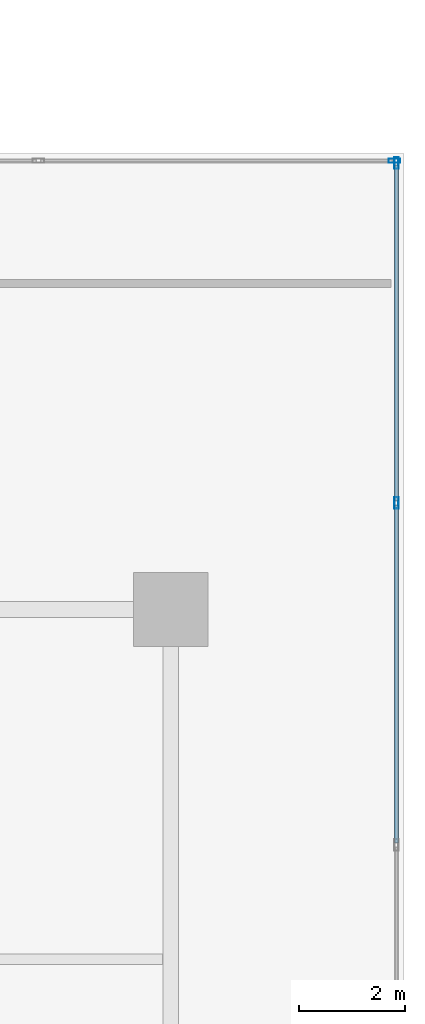
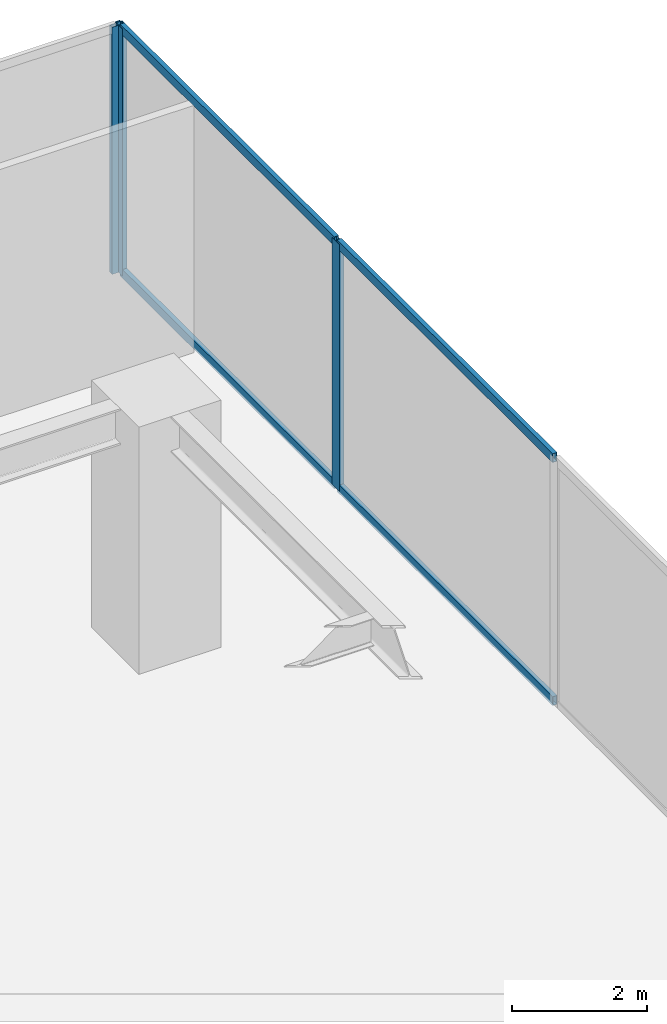
# One storey, part 10 of 16: 7 members, 2 elements without a shape of their own.
"""IFC4 building model written with IfcOpenShell, lengths in metres."""

from ifc_helpers import new_model, si_unit, direction, frame, origin, origin_with_axes, origin_2d, place, context, subcontext, project, spatial, hollow_rectangle, extrude, source, transform, mapped, material, layer, layer_set, material_profile, profile_set, type_object, element, aggregate, save


model = new_model("IFC4")

# Units and contexts
model_context = context("Model", 3, precision=1e-05, world=origin(), true_north=direction((0.0, 1.0)))
body_context = subcontext(model_context, "Body", "Model", "MODEL_VIEW")
ifc_project = project(units=[si_unit("LENGTHUNIT", "METRE"), si_unit("AREAUNIT", "SQUARE_METRE"), si_unit("VOLUMEUNIT", "CUBIC_METRE"), si_unit("PLANEANGLEUNIT", "RADIAN"), si_unit("MASSUNIT", "GRAM", prefix="KILO")], contexts=[model_context])

# Site, building, storey
site_placement = place(None, origin())
site = spatial("IfcSite", under=ifc_project, at=site_placement, CompositionType="ELEMENT")
building_placement = place(site_placement, origin())
building = spatial("IfcBuilding", under=site, at=building_placement, Name="Kolvaren Waterfront Exchange", CompositionType="ELEMENT")
storey_placement = place(building_placement, frame((0.0, 0.0, 15.199951171875)))
storey = spatial("IfcBuildingStorey", under=building, at=storey_placement, Name="L04", CompositionType="ELEMENT", Elevation=15.199951171875)

# Curtain wall, members
ifc_material_1 = material(Name="Anodised bronze aluminium 6063-T6", Category="aluminium")
ifc_layer = layer(ifc_material_1, 0.219970703125, Name="Anodised bronze aluminium 6063-T6")
ifc_layer_set = layer_set([ifc_layer], Name="Anodised bronze aluminium 6063-T6")
curtain_wall_type = type_object("IfcCurtainWallType", Name="ARC-CW-SYS4", PredefinedType="USERDEFINED", material=ifc_layer_set)
curtain_wall_1_placement = place(storey_placement, origin())
curtain_wall_1 = element("IfcCurtainWall", 1, at=curtain_wall_1_placement, inside=storey, type_object=curtain_wall_type, Name="L04 stick curtain wall CW4 (CW-L04-E1)", ObjectType="STICK CURTAIN WALL", PredefinedType="USERDEFINED")
ifc_material_2 = material(Name="Anodised aluminium 6063-T6", Category="aluminium")
ifc_material_profile_1 = material_profile(ifc_material_2, hollow_rectangle(XDim=0.080078125, YDim=0.219970703125, WallThickness=0.0048828125, at=origin_2d()), Name="ALU-MUL-220x80x5")
ifc_profile_set_1 = profile_set([ifc_material_profile_1], Name="Anodised aluminium 6063-T6")
member_type_1 = type_object("IfcMemberType", Name="ARC-CWM-220", PredefinedType="MULLION", material=ifc_profile_set_1)
shared_shape_1 = source(origin_with_axes(), body_context, "Body", "SweptSolid", [
    extrude(hollow_rectangle(XDim=0.080078125, YDim=0.219970703125, WallThickness=0.0048828125, at=origin_2d()), origin(), (0.0, 0.0, 1.0), 4.4599609375),
])
member_1_placement = place(storey_placement, frame((64.659912109375, 32.6083984375, 0.0), z_axis=(0.0, 0.0, 1.0), x_axis=(-1.0, 0.0, 0.0)))
member_1 = element("IfcMember", 2, at=member_1_placement, type_object=member_type_1, Name="CW4 mullion 6", PredefinedType="MULLION", context=body_context, shape_type="MappedRepresentation", body=[
    mapped(shared_shape_1, transform((0.0, 0.0, 0.0), x_axis=(1.0, 0.0, 0.0), y_axis=(0.0, 1.0, 0.0), z_axis=(0.0, 0.0, 1.0), scale=1.0)),
])
member_2_placement = place(storey_placement, frame((64.659912109375, 39.02001953125, 0.0), z_axis=(0.0, 0.0, 1.0), x_axis=(-1.0, 0.0, 0.0)))
member_2 = element("IfcMember", 3, at=member_2_placement, type_object=member_type_1, Name="CW4 mullion 7", PredefinedType="MULLION", context=body_context, shape_type="MappedRepresentation", body=[
    mapped(shared_shape_1, transform((0.0, 0.0, 0.0), x_axis=(1.0, 0.0, 0.0), y_axis=(0.0, 1.0, 0.0), z_axis=(0.0, 0.0, 1.0), scale=1.0)),
])

# Curtain wall, member
curtain_wall_2_placement = place(storey_placement, origin())
curtain_wall_2 = element("IfcCurtainWall", 4, at=curtain_wall_2_placement, inside=storey, type_object=curtain_wall_type, Name="L04 stick curtain wall CW4 (CW-L04-E2)", ObjectType="STICK CURTAIN WALL", PredefinedType="USERDEFINED")
member_3_placement = place(storey_placement, frame((64.6201171875, 39.06005859375, 0.0), z_axis=(0.0, 0.0, 1.0), x_axis=(0.0, -1.0, 0.0)))
member_3 = element("IfcMember", 5, at=member_3_placement, type_object=member_type_1, Name="CW4 mullion 1", PredefinedType="MULLION", context=body_context, shape_type="MappedRepresentation", body=[
    mapped(shared_shape_1, transform((0.0, 0.0, 0.0), x_axis=(1.0, 0.0, 0.0), y_axis=(0.0, 1.0, 0.0), z_axis=(0.0, 0.0, 1.0), scale=1.0)),
])
aggregate(curtain_wall_2, [member_3])

# Member
ifc_material_profile_2 = material_profile(ifc_material_2, hollow_rectangle(XDim=0.074951171875, YDim=0.159912109375, WallThickness=0.00439453125, at=origin_2d()), Name="ALU-TRN-160x75x4.5")
ifc_profile_set_2 = profile_set([ifc_material_profile_2], Name="Anodised aluminium 6063-T6")
member_type_2 = type_object("IfcMemberType", Name="ARC-CWT-160", PredefinedType="USERDEFINED", material=ifc_profile_set_2)
shared_shape_2 = source(origin_with_axes(), body_context, "Body", "SweptSolid", [
    extrude(hollow_rectangle(XDim=0.074951171875, YDim=0.159912109375, WallThickness=0.00439453125, at=origin_2d()), origin(), (0.0, 0.0, 1.0), 6.37158203125),
])
member_4_placement = place(storey_placement, frame((64.659912109375, 26.19677734375, 0.03759765625), z_axis=(0.0, 1.0, 0.0), x_axis=(-1.0, 0.0, 0.0)))
member_4 = element("IfcMember", 6, at=member_4_placement, type_object=member_type_2, Name="CW4 transom 5.1", ObjectType="TRANSOM", PredefinedType="USERDEFINED", context=body_context, shape_type="MappedRepresentation", body=[
    mapped(shared_shape_2, transform((0.0, 0.0, 0.0), x_axis=(1.0, 0.0, 0.0), y_axis=(0.0, 1.0, 0.0), z_axis=(0.0, 0.0, 1.0), scale=1.0)),
])

member_5_placement = place(storey_placement, frame((64.659912109375, 26.19677734375, 4.422607421875), z_axis=(0.0, 1.0, 0.0), x_axis=(-1.0, 0.0, 0.0)))
member_5 = element("IfcMember", 7, at=member_5_placement, type_object=member_type_2, Name="CW4 transom 5.2", ObjectType="TRANSOM", PredefinedType="USERDEFINED", context=body_context, shape_type="MappedRepresentation", body=[
    mapped(shared_shape_2, transform((0.0, 0.0, 0.0), x_axis=(1.0, 0.0, 0.0), y_axis=(0.0, 1.0, 0.0), z_axis=(0.0, 0.0, 1.0), scale=1.0)),
])

shared_shape_3 = source(origin_with_axes(), body_context, "Body", "SweptSolid", [
    extrude(hollow_rectangle(XDim=0.074951171875, YDim=0.159912109375, WallThickness=0.00439453125, at=origin_2d()), origin(), (0.0, 0.0, 1.0), 6.33154296875),
])
member_6_placement = place(storey_placement, frame((64.659912109375, 32.6484375, 0.03759765625), z_axis=(0.0, 1.0, 0.0), x_axis=(-1.0, 0.0, 0.0)))
member_6 = element("IfcMember", 8, at=member_6_placement, type_object=member_type_2, Name="CW4 transom 6.1", ObjectType="TRANSOM", PredefinedType="USERDEFINED", context=body_context, shape_type="MappedRepresentation", body=[
    mapped(shared_shape_3, transform((0.0, 0.0, 0.0), x_axis=(1.0, 0.0, 0.0), y_axis=(0.0, 1.0, 0.0), z_axis=(0.0, 0.0, 1.0), scale=1.0)),
])

member_7_placement = place(storey_placement, frame((64.659912109375, 32.6484375, 4.422607421875), z_axis=(0.0, 1.0, 0.0), x_axis=(-1.0, 0.0, 0.0)))
member_7 = element("IfcMember", 9, at=member_7_placement, type_object=member_type_2, Name="CW4 transom 6.2", ObjectType="TRANSOM", PredefinedType="USERDEFINED", context=body_context, shape_type="MappedRepresentation", body=[
    mapped(shared_shape_3, transform((0.0, 0.0, 0.0), x_axis=(1.0, 0.0, 0.0), y_axis=(0.0, 1.0, 0.0), z_axis=(0.0, 0.0, 1.0), scale=1.0)),
])

aggregate(curtain_wall_1, [member_1, member_2, member_4, member_5, member_6, member_7])

save(model, "model.ifc")
